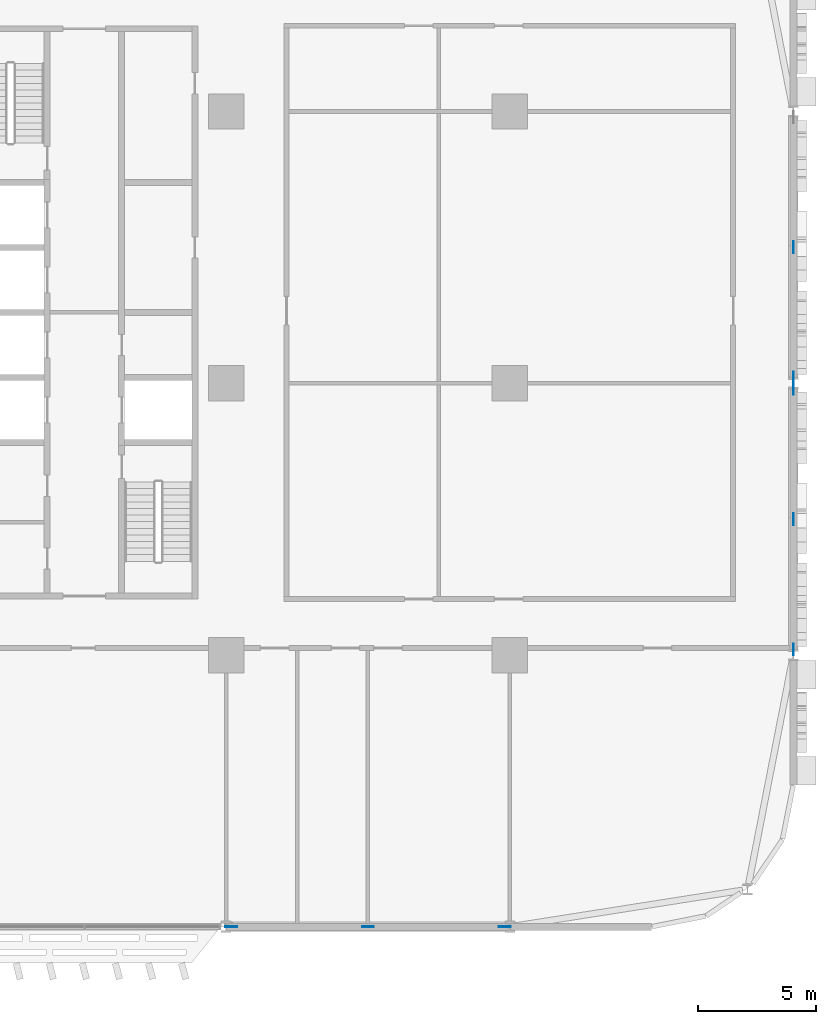
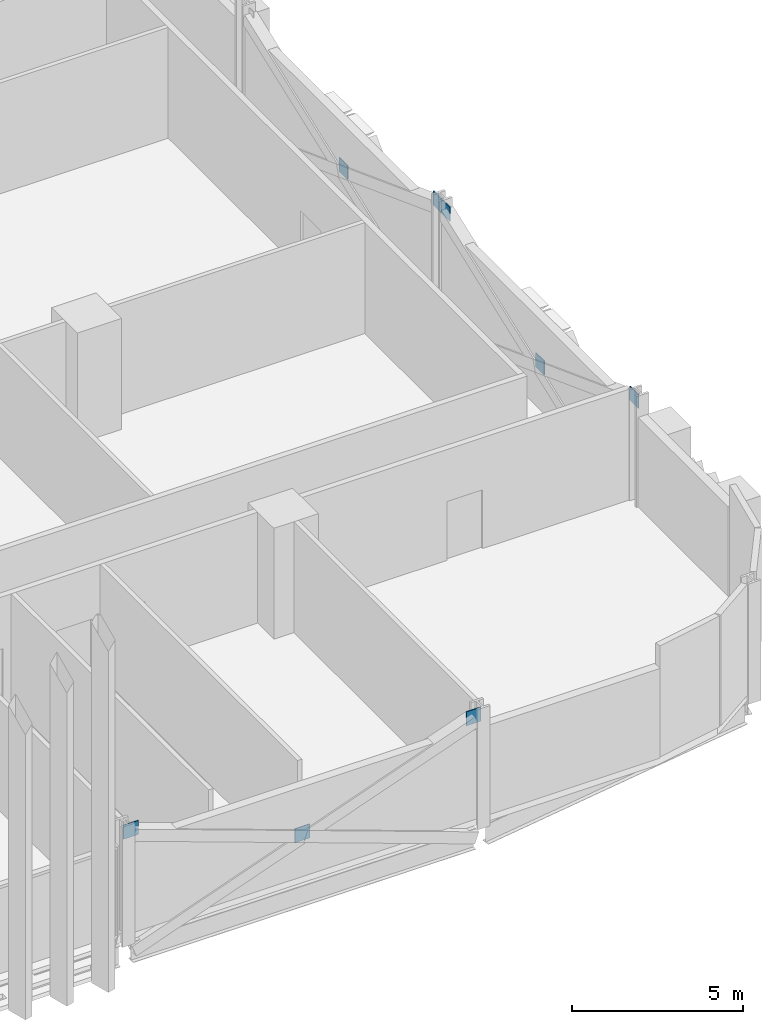
# One storey, part 22 of 29: 8 discrete accessories.
"""IFC4 building model written with IfcOpenShell, lengths in metres."""

from ifc_helpers import new_model, si_unit, direction, frame, origin, origin_2d, place, context, subcontext, project, spatial, rectangle, extrude, material, layer, layer_set, type_object, element, save


model = new_model("IFC4")

# Units and contexts
model_context = context("Model", 3, precision=1e-05, world=origin(), true_north=direction((0.0, 1.0)))
body_context = subcontext(model_context, "Body", "Model", "MODEL_VIEW")
ifc_project = project(units=[si_unit("LENGTHUNIT", "METRE"), si_unit("AREAUNIT", "SQUARE_METRE"), si_unit("VOLUMEUNIT", "CUBIC_METRE"), si_unit("PLANEANGLEUNIT", "RADIAN"), si_unit("MASSUNIT", "GRAM", prefix="KILO")], contexts=[model_context])

# Site, building, storey
site_placement = place(None, origin())
site = spatial("IfcSite", under=ifc_project, at=site_placement, CompositionType="ELEMENT")
building_placement = place(site_placement, origin())
building = spatial("IfcBuilding", under=site, at=building_placement, Name="Mahtab Terrace Research Tower", CompositionType="ELEMENT")
storey_placement = place(building_placement, frame((0.0, 0.0, 63.199951171875)))
storey = spatial("IfcBuildingStorey", under=building, at=storey_placement, Name="L14", CompositionType="ELEMENT", Elevation=63.199951171875)

# Discrete accessories
ifc_material = material(Name="Steel ASTM A992 Gr 50", Category="steel")
ifc_layer = layer(ifc_material, 0.030029296875)
ifc_layer_set = layer_set([ifc_layer], Name="Gusset plate 500x500x30")
discrete_accessory_type = type_object("IfcDiscreteAccessoryType", Name="Gusset plate 500x500x30", PredefinedType="USERDEFINED", material=ifc_layer_set)
for number, where, z_axis, x_axis, name in (
    (1, (30.212158203125, -23.0, 3.33154296875), (0.0, 0.0, 1.0), (1.0, 0.0, 0.0), "Gusset plate"),
    (2, (36.0, -23.0, 1.181640625), (0.0, 0.0, 1.0), (1.0, 0.0, 0.0), "Gusset plate"),
    (3, (41.787841796875, -23.0, 3.33154296875), (0.0, 0.0, 1.0), (1.0, 0.0, 0.0), "Gusset plate"),
    (4, (54.0, -11.262451171875, 3.33154296875), (0.0, 0.0, 1.0), (0.0, 1.0, 0.0), "Gusset plate"),
    (5, (54.0, -5.75, 1.181640625), (0.0, 0.0, 1.0), (0.0, 1.0, 0.0), "Gusset plate"),
    (6, (54.0, -0.237548828125, 3.33154296875), (0.0, 0.0, 1.0), (0.0, 1.0, 0.0), "Gusset plate"),
    (7, (54.0, 0.237548828125, 3.33154296875), (0.0, 0.0, 1.0), (0.0, 1.0, 0.0), "Gusset plate"),
    (8, (54.0, 5.75, 1.181640625), (0.0, 0.0, 1.0), (0.0, 1.0, 0.0), "Gusset plate"),
):
    element("IfcDiscreteAccessory", number, at=place(storey_placement, frame(where, z_axis=z_axis, x_axis=x_axis)), inside=storey, type_object=discrete_accessory_type, Name=name, ObjectType="GUSSET PLATE", PredefinedType="USERDEFINED", context=body_context, shape_type="SweptSolid", body=[
        extrude(rectangle(XDim=0.5, YDim=0.030029296875, at=origin_2d()), origin(), (0.0, 0.0, 1.0), 0.5),
    ])

save(model, "model.ifc")
